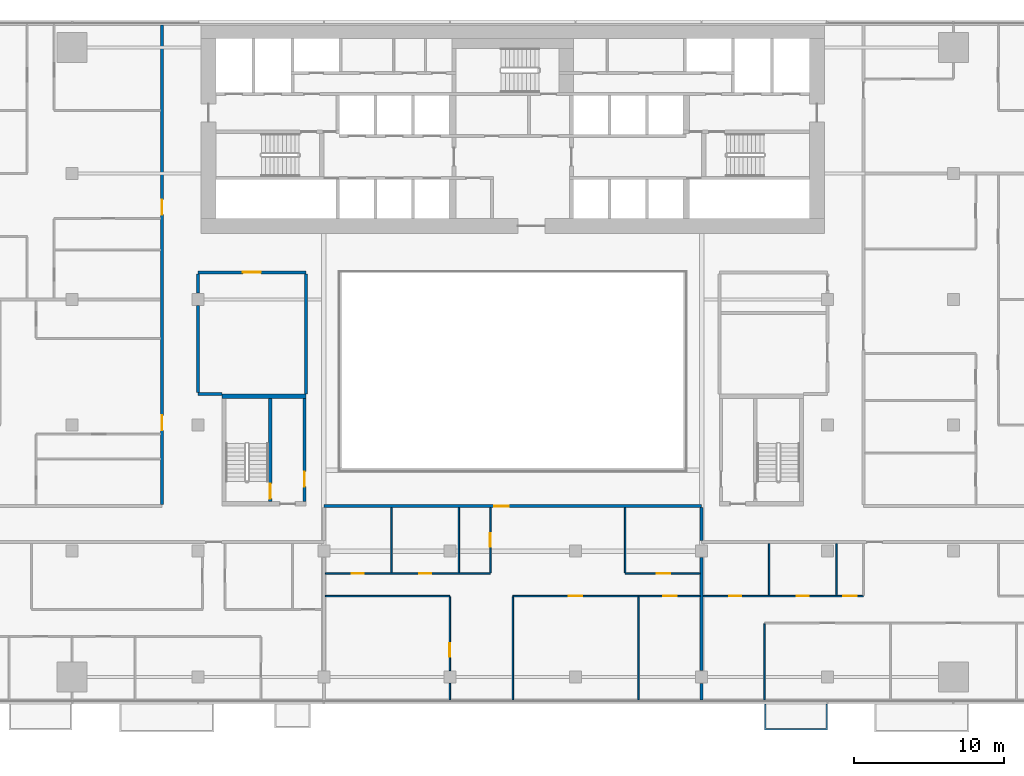
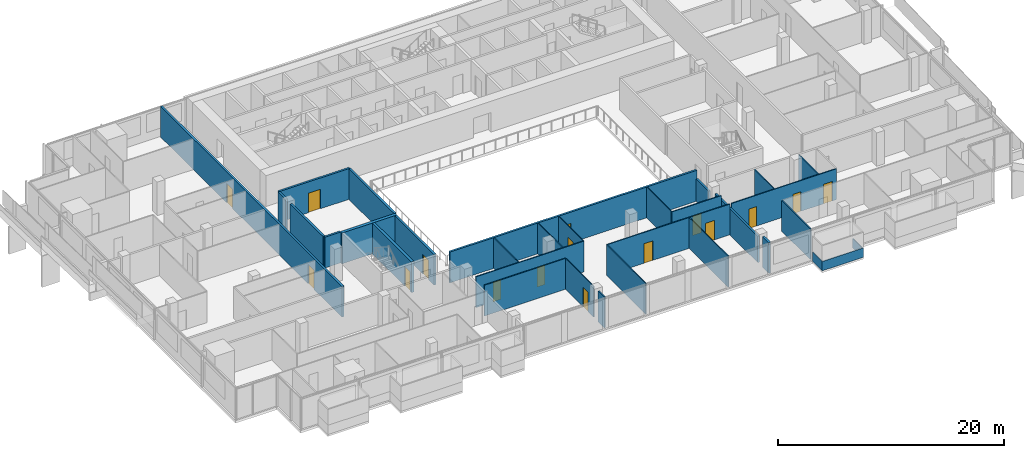
# One storey, part 19 of 27: 30 walls, 16 doors, 16 openings.
"""IFC4 building model written with IfcOpenShell, lengths in metres."""

from ifc_helpers import new_model, si_unit, direction, frame, frame_2d, origin, place, context, subcontext, project, spatial, polyline, rectangle, outline, extrude, material, layer, layer_set, type_object, element, fill, save


model = new_model("IFC4")

# Units and contexts
model_context = context("Model", 3, precision=1e-05, world=origin(), true_north=direction((0.0, 1.0)))
body_context = subcontext(model_context, "Body", "Model", "MODEL_VIEW")
ifc_project = project(units=[si_unit("LENGTHUNIT", "METRE"), si_unit("AREAUNIT", "SQUARE_METRE"), si_unit("VOLUMEUNIT", "CUBIC_METRE"), si_unit("PLANEANGLEUNIT", "RADIAN"), si_unit("MASSUNIT", "GRAM", prefix="KILO")], contexts=[model_context])

# Site, building, storey
site_placement = place(None, origin())
site = spatial("IfcSite", under=ifc_project, at=site_placement, CompositionType="ELEMENT")
building_placement = place(site_placement, origin())
building = spatial("IfcBuilding", under=site, at=building_placement, Name="Saffron Gate Tower", CompositionType="ELEMENT")
storey_placement = place(building_placement, frame((0.0, 0.0, 109.64990234375)))
storey = spatial("IfcBuildingStorey", under=building, at=storey_placement, Name="L25", CompositionType="ELEMENT", Elevation=109.64990234375)

# Wall, opening, door
ifc_material_1 = material(Name="Gypsum board partition on steel studs", Category="steel")
ifc_layer_1 = layer(ifc_material_1, 0.199951171875)
ifc_layer_set_1 = layer_set([ifc_layer_1], Name="CW10 Core partition 200")
wall_type_1 = type_object("IfcWallType", Name="CW10 Core partition 200", PredefinedType="PARTITIONING", material=ifc_layer_set_1)
wall_1_placement = place(storey_placement, frame((73.699951171875, 43.5, 0.0), z_axis=(0.0, 0.0, 1.0), x_axis=(0.0, 1.0, 0.0)))
wall_1 = element("IfcWall", 1, at=wall_1_placement, inside=storey, type_object=wall_type_1, Name="Wall CW10-L25-D-4", PredefinedType="PARTITIONING", context=body_context, shape_type="SweptSolid", body=[
    extrude(rectangle(XDim=6.89990234375, YDim=0.199951171875, at=frame_2d((3.449951171875, 0.0))), origin(), (0.0, 0.0, 1.0), 3.320068359375),
])
opening_1_placement = place(wall_1_placement, frame((1.0, 0.0, 0.0)))
opening_1 = element("IfcOpeningElement", 2, at=opening_1_placement, cuts=wall_1, Name="Opening CR-19", PredefinedType="OPENING", context=body_context, shape_type="SweptSolid", body=[
    extrude(rectangle(XDim=1.0, YDim=2.10009765625, at=frame_2d((0.5, 1.050048828125))), frame((0.0, 0.10986328125, 0.0), z_axis=(0.0, -1.0, 0.0), x_axis=(1.0, 0.0, 0.0)), (0.0, 0.0, 1.0), 0.219970703125),
])
ifc_material_2 = material(Name="Steel fire door set", Category="steel")
door_type_1 = type_object("IfcDoorType", Name="CD4 Lobby door 1000x2100 EI 120", OperationType="NOTDEFINED", PredefinedType="DOOR", material=ifc_material_2)
door_1_placement = place(opening_1_placement, origin())
door_1 = element("IfcDoor", 3, at=door_1_placement, inside=storey, type_object=door_type_1, Name="DOOR CR-19", OperationType="SINGLE_SWING_RIGHT", OverallHeight=2.10009765625, OverallWidth=1.0, PredefinedType="DOOR", context=body_context, shape_type="SweptSolid", body=[
    extrude(rectangle(XDim=1.0, YDim=2.10009765625, at=frame_2d((0.5, 1.050048828125))), frame((0.0, 0.02490234375, 0.0), z_axis=(0.0, -1.0, 0.0), x_axis=(1.0, 0.0, 0.0)), (0.0, 0.0, 1.0), 0.050048828125),
])
fill(opening_1, door_1)

ifc_material_3 = material(Name="Concrete C70", Category="concrete")
ifc_layer_2 = layer(ifc_material_3, 0.25)
ifc_layer_set_2 = layer_set([ifc_layer_2], Name="CW2 RC core wall 250 C70")
wall_type_2 = type_object("IfcWallType", Name="CW2 RC core wall 250 C70", PredefinedType="SOLIDWALL", material=ifc_layer_set_2)
wall_2_placement = place(storey_placement, frame((71.425048828125, 43.5, 0.0), z_axis=(0.0, 0.0, 1.0), x_axis=(0.0, 1.0, 0.0)))
wall_2 = element("IfcWall", 4, at=wall_2_placement, inside=storey, type_object=wall_type_2, Name="Wall CW2-L25-D-3", PredefinedType="SOLIDWALL", context=body_context, shape_type="SweptSolid", body=[
    extrude(rectangle(XDim=6.89990234375, YDim=0.25, at=frame_2d((3.449951171875, 0.0))), origin(), (0.0, 0.0, 1.0), 3.320068359375),
])
opening_2_placement = place(wall_2_placement, frame((0.199951171875, 0.0, 0.0)))
opening_2 = element("IfcOpeningElement", 5, at=opening_2_placement, cuts=wall_2, Name="Opening CR-20", PredefinedType="OPENING", context=body_context, shape_type="SweptSolid", body=[
    extrude(rectangle(XDim=1.0, YDim=2.10009765625, at=frame_2d((0.5, 1.050048828125))), frame((0.0, 0.135009765625, 0.0), z_axis=(0.0, -1.0, 0.0), x_axis=(1.0, 0.0, 0.0)), (0.0, 0.0, 1.0), 0.27001953125),
])
door_type_2 = type_object("IfcDoorType", Name="CD5 Stair door 1000x2100 EI 120", OperationType="NOTDEFINED", PredefinedType="DOOR", material=ifc_material_2)
door_2_placement = place(opening_2_placement, origin())
door_2 = element("IfcDoor", 6, at=door_2_placement, inside=storey, type_object=door_type_2, Name="DOOR CR-20", OperationType="SINGLE_SWING_LEFT", OverallHeight=2.10009765625, OverallWidth=1.0, PredefinedType="DOOR", context=body_context, shape_type="SweptSolid", body=[
    extrude(rectangle(XDim=1.0, YDim=2.10009765625, at=frame_2d((0.5, 1.050048828125))), frame((0.0, 0.02490234375, 0.0), z_axis=(0.0, -1.0, 0.0), x_axis=(1.0, 0.0, 0.0)), (0.0, 0.0, 1.0), 0.050048828125),
])
fill(opening_2, door_2)

# Walls
ifc_layer_3 = layer(ifc_material_3, 0.300048828125)
ifc_layer_set_3 = layer_set([ifc_layer_3], Name="CW5 RC core wall 300 C70")
wall_type_3 = type_object("IfcWallType", Name="CW5 RC core wall 300 C70", PredefinedType="SOLIDWALL", material=ifc_layer_set_3)
wall_3_placement = place(storey_placement, frame((68.199951171875, 50.550048828125, 0.0), z_axis=(0.0, 0.0, 1.0), x_axis=(1.0, 0.0, 0.0)))
element("IfcWall", 7, at=wall_3_placement, inside=storey, type_object=wall_type_3, Name="Wall CW5-L25-D-5", PredefinedType="SOLIDWALL", context=body_context, shape_type="SweptSolid", body=[
    extrude(rectangle(XDim=5.60009765625, YDim=0.300048828125, at=frame_2d((2.800048828125, 0.0))), origin(), (0.0, 0.0, 1.0), 3.320068359375),
])
ifc_material_4 = material(Name="Plasterboard on steel studs", Category="steel")
ifc_layer_4 = layer(ifc_material_4, 0.10009765625)
ifc_layer_set_4 = layer_set([ifc_layer_4], Name="PW1 Partition 100")
wall_type_4 = type_object("IfcWallType", Name="PW1 Partition 100", PredefinedType="PARTITIONING", material=ifc_layer_set_4)
wall_4_placement = place(storey_placement, frame((75.10009765625, 37.199951171875, 0.0), z_axis=(0.0, 0.0, 1.0), x_axis=(1.0, 0.0, 0.0)))
element("IfcWall", 8, at=wall_4_placement, inside=storey, type_object=wall_type_4, Name="Partition B2-5", PredefinedType="PARTITIONING", context=body_context, shape_type="SweptSolid", body=[
    extrude(rectangle(XDim=8.2998046875, YDim=0.10009765625, at=frame_2d((4.14990234375, 0.0))), origin(), (0.0, 0.0, 1.0), 3.320068359375),
])

# Wall, openings, doors
wall_5_placement = place(storey_placement, frame((75.10009765625, 38.699951171875, 0.0), z_axis=(0.0, 0.0, 1.0), x_axis=(1.0, 0.0, 0.0)))
wall_5 = element("IfcWall", 9, at=wall_5_placement, inside=storey, type_object=wall_type_4, Name="Partition B2-7", PredefinedType="PARTITIONING", context=body_context, shape_type="SweptSolid", body=[
    extrude(rectangle(XDim=11.0, YDim=0.10009765625, at=frame_2d((5.5, 0.0))), origin(), (0.0, 0.0, 1.0), 3.320068359375),
])
opening_3_placement = place(wall_5_placement, frame((1.75, 0.0, 0.0)))
opening_3 = element("IfcOpeningElement", 10, at=opening_3_placement, cuts=wall_5, Name="Opening B2-38", PredefinedType="OPENING", context=body_context, shape_type="SweptSolid", body=[
    extrude(rectangle(XDim=0.800048828125, YDim=2.10009765625, at=frame_2d((0.39990234375, 1.050048828125))), frame((0.0, 0.06005859375, 0.0), z_axis=(0.0, -1.0, 0.0), x_axis=(1.0, 0.0, 0.0)), (0.0, 0.0, 1.0), 0.1201171875),
])
opening_4_placement = place(wall_5_placement, frame((6.25, 0.0, 0.0)))
opening_4 = element("IfcOpeningElement", 11, at=opening_4_placement, cuts=wall_5, Name="Opening B2-39", PredefinedType="OPENING", context=body_context, shape_type="SweptSolid", body=[
    extrude(rectangle(XDim=0.800048828125, YDim=2.10009765625, at=frame_2d((0.39990234375, 1.050048828125))), frame((0.0, 0.06005859375, 0.0), z_axis=(0.0, -1.0, 0.0), x_axis=(1.0, 0.0, 0.0)), (0.0, 0.0, 1.0), 0.1201171875),
])
ifc_material_5 = material(Name="Timber door set", Category="wood")
door_type_3 = type_object("IfcDoorType", Name="RD2 Bathroom door 800x2100", OperationType="NOTDEFINED", PredefinedType="DOOR", material=ifc_material_5)
door_3_placement = place(opening_3_placement, origin())
door_3 = element("IfcDoor", 12, at=door_3_placement, inside=storey, type_object=door_type_3, Name="Door B2-38", OperationType="SINGLE_SWING_LEFT", OverallHeight=2.10009765625, OverallWidth=0.800048828125, PredefinedType="DOOR", context=body_context, shape_type="SweptSolid", body=[
    extrude(rectangle(XDim=0.800048828125, YDim=2.10009765625, at=frame_2d((0.39990234375, 1.050048828125))), frame((0.0, 0.02490234375, 0.0), z_axis=(0.0, -1.0, 0.0), x_axis=(1.0, 0.0, 0.0)), (0.0, 0.0, 1.0), 0.050048828125),
])
fill(opening_3, door_3)
door_4_placement = place(opening_4_placement, origin())
door_4 = element("IfcDoor", 13, at=door_4_placement, inside=storey, type_object=door_type_3, Name="Door B2-39", OperationType="SINGLE_SWING_LEFT", OverallHeight=2.10009765625, OverallWidth=0.800048828125, PredefinedType="DOOR", context=body_context, shape_type="SweptSolid", body=[
    extrude(rectangle(XDim=0.800048828125, YDim=2.10009765625, at=frame_2d((0.39990234375, 1.050048828125))), frame((0.0, 0.02490234375, 0.0), z_axis=(0.0, -1.0, 0.0), x_axis=(1.0, 0.0, 0.0)), (0.0, 0.0, 1.0), 0.050048828125),
])
fill(opening_4, door_4)

# Wall, opening, door
wall_6_placement = place(storey_placement, frame((95.10009765625, 38.699951171875, 0.0), z_axis=(0.0, 0.0, 1.0), x_axis=(1.0, 0.0, 0.0)))
wall_6 = element("IfcWall", 14, at=wall_6_placement, inside=storey, type_object=wall_type_4, Name="Partition B2-8", PredefinedType="PARTITIONING", context=body_context, shape_type="SweptSolid", body=[
    extrude(rectangle(XDim=5.0, YDim=0.10009765625, at=frame_2d((2.5, 0.0))), origin(), (0.0, 0.0, 1.0), 3.320068359375),
])
opening_5_placement = place(wall_6_placement, frame((2.10009765625, 0.0, 0.0)))
opening_5 = element("IfcOpeningElement", 15, at=opening_5_placement, cuts=wall_6, Name="Opening B2-16", PredefinedType="OPENING", context=body_context, shape_type="SweptSolid", body=[
    extrude(rectangle(XDim=0.89990234375, YDim=2.10009765625, at=frame_2d((0.449951171875, 1.050048828125))), frame((0.0, 0.06005859375, 0.0), z_axis=(0.0, -1.0, 0.0), x_axis=(1.0, 0.0, 0.0)), (0.0, 0.0, 1.0), 0.1201171875),
])
door_type_4 = type_object("IfcDoorType", Name="RD1 Room door 900x2100", OperationType="NOTDEFINED", PredefinedType="DOOR", material=ifc_material_5)
door_5_placement = place(opening_5_placement, origin())
door_5 = element("IfcDoor", 16, at=door_5_placement, inside=storey, type_object=door_type_4, Name="Door B2-16", OperationType="SINGLE_SWING_RIGHT", OverallHeight=2.10009765625, OverallWidth=0.89990234375, PredefinedType="DOOR", context=body_context, shape_type="SweptSolid", body=[
    extrude(rectangle(XDim=0.89990234375, YDim=2.10009765625, at=frame_2d((0.449951171875, 1.050048828125))), frame((0.0, 0.02490234375, 0.0), z_axis=(0.0, -1.0, 0.0), x_axis=(1.0, 0.0, 0.0)), (0.0, 0.0, 1.0), 0.050048828125),
])
fill(opening_5, door_5)

# Walls
wall_7_placement = place(storey_placement, frame((79.5, 43.10009765625, 0.0), z_axis=(0.0, 0.0, 1.0), x_axis=(0.0, -1.0, 0.0)))
element("IfcWall", 17, at=wall_7_placement, inside=storey, type_object=wall_type_4, Name="Partition B2-72", PredefinedType="PARTITIONING", context=body_context, shape_type="SweptSolid", body=[
    extrude(rectangle(XDim=4.35009765625, YDim=0.10009765625, at=frame_2d((2.175048828125, 0.0))), origin(), (0.0, 0.0, 1.0), 3.320068359375),
])
wall_8_placement = place(storey_placement, frame((83.39990234375, 31.3798828125, 0.0), z_axis=(0.0, 0.0, 1.0), x_axis=(0.0, -1.0, 0.0)))
element("IfcWall", 18, at=wall_8_placement, inside=storey, type_object=wall_type_4, Name="Partition B2-73", PredefinedType="PARTITIONING", context=body_context, shape_type="SweptSolid", body=[
    extrude(rectangle(XDim=1.099853515625, YDim=0.10009765625, at=frame_2d((0.5498046875, 0.0))), origin(), (0.0, 0.0, 1.0), 3.320068359375),
])

# Wall, opening, door
wall_9_placement = place(storey_placement, frame((83.39990234375, 32.219970703125, 0.0), z_axis=(0.0, 0.0, 1.0), x_axis=(0.0, 1.0, 0.0)))
wall_9 = element("IfcWall", 19, at=wall_9_placement, inside=storey, type_object=wall_type_4, Name="Partition B2-74", PredefinedType="PARTITIONING", context=body_context, shape_type="SweptSolid", body=[
    extrude(rectangle(XDim=4.929931640625, YDim=0.10009765625, at=frame_2d((2.46484375, 0.0))), origin(), (0.0, 0.0, 1.0), 3.320068359375),
])
opening_6_placement = place(wall_9_placement, frame((0.929931640625, 0.0, 0.0)))
opening_6 = element("IfcOpeningElement", 20, at=opening_6_placement, cuts=wall_9, Name="Opening B2-13", PredefinedType="OPENING", context=body_context, shape_type="SweptSolid", body=[
    extrude(rectangle(XDim=0.89990234375, YDim=2.10009765625, at=frame_2d((0.449951171875, 1.050048828125))), frame((0.0, 0.06005859375, 0.0), z_axis=(0.0, -1.0, 0.0), x_axis=(1.0, 0.0, 0.0)), (0.0, 0.0, 1.0), 0.1201171875),
])
door_6_placement = place(opening_6_placement, origin())
door_6 = element("IfcDoor", 21, at=door_6_placement, inside=storey, type_object=door_type_4, Name="Door B2-13", OperationType="SINGLE_SWING_LEFT", OverallHeight=2.10009765625, OverallWidth=0.89990234375, PredefinedType="DOOR", context=body_context, shape_type="SweptSolid", body=[
    extrude(rectangle(XDim=0.89990234375, YDim=2.10009765625, at=frame_2d((0.449951171875, 1.050048828125))), frame((0.0, 0.02490234375, 0.0), z_axis=(0.0, -1.0, 0.0), x_axis=(1.0, 0.0, 0.0)), (0.0, 0.0, 1.0), 0.050048828125),
])
fill(opening_6, door_6)

# Wall
wall_10_placement = place(storey_placement, frame((84.0, 43.10009765625, 0.0), z_axis=(0.0, 0.0, 1.0), x_axis=(0.0, -1.0, 0.0)))
element("IfcWall", 22, at=wall_10_placement, inside=storey, type_object=wall_type_4, Name="Partition B2-75", PredefinedType="PARTITIONING", context=body_context, shape_type="SweptSolid", body=[
    extrude(rectangle(XDim=4.35009765625, YDim=0.10009765625, at=frame_2d((2.175048828125, 0.0))), origin(), (0.0, 0.0, 1.0), 3.320068359375),
])

# Wall, opening, door
wall_11_placement = place(storey_placement, frame((86.10009765625, 38.75, 0.0), z_axis=(0.0, 0.0, 1.0), x_axis=(0.0, 1.0, 0.0)))
wall_11 = element("IfcWall", 23, at=wall_11_placement, inside=storey, type_object=wall_type_4, Name="Partition B2-76", PredefinedType="PARTITIONING", context=body_context, shape_type="SweptSolid", body=[
    extrude(rectangle(XDim=4.35009765625, YDim=0.10009765625, at=frame_2d((2.175048828125, 0.0))), origin(), (0.0, 0.0, 1.0), 3.320068359375),
])
opening_7_placement = place(wall_11_placement, frame((1.75, 0.0, 0.0)))
opening_7 = element("IfcOpeningElement", 24, at=opening_7_placement, cuts=wall_11, Name="Opening B2-17", PredefinedType="OPENING", context=body_context, shape_type="SweptSolid", body=[
    extrude(rectangle(XDim=0.89990234375, YDim=2.10009765625, at=frame_2d((0.449951171875, 1.050048828125))), frame((0.0, 0.06005859375, 0.0), z_axis=(0.0, -1.0, 0.0), x_axis=(1.0, 0.0, 0.0)), (0.0, 0.0, 1.0), 0.1201171875),
])
door_7_placement = place(opening_7_placement, origin())
door_7 = element("IfcDoor", 25, at=door_7_placement, inside=storey, type_object=door_type_4, Name="Door B2-17", OperationType="SINGLE_SWING_RIGHT", OverallHeight=2.10009765625, OverallWidth=0.89990234375, PredefinedType="DOOR", context=body_context, shape_type="SweptSolid", body=[
    extrude(rectangle(XDim=0.89990234375, YDim=2.10009765625, at=frame_2d((0.449951171875, 1.050048828125))), frame((0.0, 0.02490234375, 0.0), z_axis=(0.0, -1.0, 0.0), x_axis=(1.0, 0.0, 0.0)), (0.0, 0.0, 1.0), 0.050048828125),
])
fill(opening_7, door_7)

# Walls
wall_12_placement = place(storey_placement, frame((87.60009765625, 37.14990234375, 0.0), z_axis=(0.0, 0.0, 1.0), x_axis=(0.0, -1.0, 0.0)))
element("IfcWall", 26, at=wall_12_placement, inside=storey, type_object=wall_type_4, Name="Partition B2-77", PredefinedType="PARTITIONING", context=body_context, shape_type="SweptSolid", body=[
    extrude(rectangle(XDim=6.869873046875, YDim=0.10009765625, at=frame_2d((3.43505859375, 0.0))), origin(), (0.0, 0.0, 1.0), 3.320068359375),
])
wall_13_placement = place(storey_placement, frame((95.10009765625, 43.10009765625, 0.0), z_axis=(0.0, 0.0, 1.0), x_axis=(0.0, -1.0, 0.0)))
element("IfcWall", 27, at=wall_13_placement, inside=storey, type_object=wall_type_4, Name="Partition B2-78", PredefinedType="PARTITIONING", context=body_context, shape_type="SweptSolid", body=[
    extrude(rectangle(XDim=4.35009765625, YDim=0.10009765625, at=frame_2d((2.175048828125, 0.0))), origin(), (0.0, 0.0, 1.0), 3.320068359375),
])
wall_14_placement = place(storey_placement, frame((96.0, 37.14990234375, 0.0), z_axis=(0.0, 0.0, 1.0), x_axis=(0.0, -1.0, 0.0)))
element("IfcWall", 28, at=wall_14_placement, inside=storey, type_object=wall_type_4, Name="Partition B2-79", PredefinedType="PARTITIONING", context=body_context, shape_type="SweptSolid", body=[
    extrude(rectangle(XDim=6.869873046875, YDim=0.10009765625, at=frame_2d((3.43505859375, 0.0))), origin(), (0.0, 0.0, 1.0), 3.320068359375),
])
wall_15_placement = place(storey_placement, frame((104.39990234375, 35.35009765625, 0.0), z_axis=(0.0, 0.0, 1.0), x_axis=(0.0, -1.0, 0.0)))
element("IfcWall", 29, at=wall_15_placement, inside=storey, type_object=wall_type_4, Name="Partition B2-84", PredefinedType="PARTITIONING", context=body_context, shape_type="SweptSolid", body=[
    extrude(rectangle(XDim=5.070068359375, YDim=0.10009765625, at=frame_2d((2.53515625, 0.0))), origin(), (0.0, 0.0, 1.0), 3.320068359375),
])
for number, where, z_axis, x_axis, name in (
    (30, (104.699951171875, 40.699951171875, 0.0), (0.0, 0.0, 1.0), (0.0, -1.0, 0.0), "Partition B2-85"),
    (31, (109.199951171875, 40.699951171875, 0.0), (0.0, 0.0, 1.0), (0.0, -1.0, 0.0), "Partition B2-88"),
):
    element("IfcWall", number, at=place(storey_placement, frame(where, z_axis=z_axis, x_axis=x_axis)), inside=storey, type_object=wall_type_4, Name=name, PredefinedType="PARTITIONING", context=body_context, shape_type="SweptSolid", body=[
        extrude(rectangle(XDim=3.449951171875, YDim=0.10009765625, at=frame_2d((1.72509765625, 0.0))), origin(), (0.0, 0.0, 1.0), 3.320068359375),
    ])

# Wall, openings, doors
wall_16_placement = place(storey_placement, frame((100.10009765625, 37.199951171875, 0.0), z_axis=(0.0, 0.0, 1.0), x_axis=(-1.0, 0.0, 0.0)))
wall_16 = element("IfcWall", 32, at=wall_16_placement, inside=storey, type_object=wall_type_4, Name="Partition B2-100", PredefinedType="PARTITIONING", context=body_context, shape_type="SweptSolid", body=[
    extrude(rectangle(XDim=12.5, YDim=0.10009765625, at=frame_2d((6.25, 0.0))), origin(), (0.0, 0.0, 1.0), 3.320068359375),
])
opening_8_placement = place(wall_16_placement, frame((1.550048828125, 0.0, 0.0)))
opening_8 = element("IfcOpeningElement", 33, at=opening_8_placement, cuts=wall_16, Name="Opening B2-15", PredefinedType="OPENING", context=body_context, shape_type="SweptSolid", body=[
    extrude(rectangle(XDim=0.89990234375, YDim=2.10009765625, at=frame_2d((0.449951171875, 1.050048828125))), frame((0.0, 0.06005859375, 0.0), z_axis=(0.0, -1.0, 0.0), x_axis=(1.0, 0.0, 0.0)), (0.0, 0.0, 1.0), 0.1201171875),
])
opening_9_placement = place(wall_16_placement, frame((7.85009765625, 0.0, 0.0)))
opening_9 = element("IfcOpeningElement", 34, at=opening_9_placement, cuts=wall_16, Name="Opening B2-14", PredefinedType="OPENING", context=body_context, shape_type="SweptSolid", body=[
    extrude(rectangle(XDim=0.89990234375, YDim=2.10009765625, at=frame_2d((0.449951171875, 1.050048828125))), frame((0.0, 0.06005859375, 0.0), z_axis=(0.0, -1.0, 0.0), x_axis=(1.0, 0.0, 0.0)), (0.0, 0.0, 1.0), 0.1201171875),
])
door_8_placement = place(opening_8_placement, origin())
door_8 = element("IfcDoor", 35, at=door_8_placement, inside=storey, type_object=door_type_4, Name="Door B2-15", OperationType="SINGLE_SWING_LEFT", OverallHeight=2.10009765625, OverallWidth=0.89990234375, PredefinedType="DOOR", context=body_context, shape_type="SweptSolid", body=[
    extrude(rectangle(XDim=0.89990234375, YDim=2.10009765625, at=frame_2d((0.449951171875, 1.050048828125))), frame((0.0, 0.02490234375, 0.0), z_axis=(0.0, -1.0, 0.0), x_axis=(1.0, 0.0, 0.0)), (0.0, 0.0, 1.0), 0.050048828125),
])
fill(opening_8, door_8)
door_9_placement = place(opening_9_placement, origin())
door_9 = element("IfcDoor", 36, at=door_9_placement, inside=storey, type_object=door_type_4, Name="Door B2-14", OperationType="SINGLE_SWING_RIGHT", OverallHeight=2.10009765625, OverallWidth=0.89990234375, PredefinedType="DOOR", context=body_context, shape_type="SweptSolid", body=[
    extrude(rectangle(XDim=0.89990234375, YDim=2.10009765625, at=frame_2d((0.449951171875, 1.050048828125))), frame((0.0, 0.02490234375, 0.0), z_axis=(0.0, -1.0, 0.0), x_axis=(1.0, 0.0, 0.0)), (0.0, 0.0, 1.0), 0.050048828125),
])
fill(opening_9, door_9)

wall_17_placement = place(storey_placement, frame((100.300048828125, 37.199951171875, 0.0), z_axis=(0.0, 0.0, 1.0), x_axis=(1.0, 0.0, 0.0)))
wall_17 = element("IfcWall", 37, at=wall_17_placement, inside=storey, type_object=wall_type_4, Name="Partition B2-101", PredefinedType="PARTITIONING", context=body_context, shape_type="SweptSolid", body=[
    extrude(rectangle(XDim=10.699951171875, YDim=0.10009765625, at=frame_2d((5.35009765625, 0.0))), origin(), (0.0, 0.0, 1.0), 3.320068359375),
])
opening_10_placement = place(wall_17_placement, frame((1.75, 0.0, 0.0)))
opening_10 = element("IfcOpeningElement", 38, at=opening_10_placement, cuts=wall_17, Name="Opening B2-40", PredefinedType="OPENING", context=body_context, shape_type="SweptSolid", body=[
    extrude(rectangle(XDim=0.800048828125, YDim=2.10009765625, at=frame_2d((0.39990234375, 1.050048828125))), frame((0.0, 0.06005859375, 0.0), z_axis=(0.0, -1.0, 0.0), x_axis=(1.0, 0.0, 0.0)), (0.0, 0.0, 1.0), 0.1201171875),
])
opening_11_placement = place(wall_17_placement, frame((6.25, 0.0, 0.0)))
opening_11 = element("IfcOpeningElement", 39, at=opening_11_placement, cuts=wall_17, Name="Opening B2-41", PredefinedType="OPENING", context=body_context, shape_type="SweptSolid", body=[
    extrude(rectangle(XDim=0.800048828125, YDim=2.10009765625, at=frame_2d((0.39990234375, 1.050048828125))), frame((0.0, 0.06005859375, 0.0), z_axis=(0.0, -1.0, 0.0), x_axis=(1.0, 0.0, 0.0)), (0.0, 0.0, 1.0), 0.1201171875),
])
opening_12_placement = place(wall_17_placement, frame((9.35009765625, 0.0, 0.0)))
opening_12 = element("IfcOpeningElement", 40, at=opening_12_placement, cuts=wall_17, Name="Opening B2-22", PredefinedType="OPENING", context=body_context, shape_type="SweptSolid", body=[
    extrude(rectangle(XDim=0.89990234375, YDim=2.10009765625, at=frame_2d((0.449951171875, 1.050048828125))), frame((0.0, 0.06005859375, 0.0), z_axis=(0.0, -1.0, 0.0), x_axis=(1.0, 0.0, 0.0)), (0.0, 0.0, 1.0), 0.1201171875),
])
door_10_placement = place(opening_12_placement, origin())
door_10 = element("IfcDoor", 41, at=door_10_placement, inside=storey, type_object=door_type_4, Name="Door B2-22", OperationType="SINGLE_SWING_LEFT", OverallHeight=2.10009765625, OverallWidth=0.89990234375, PredefinedType="DOOR", context=body_context, shape_type="SweptSolid", body=[
    extrude(rectangle(XDim=0.89990234375, YDim=2.10009765625, at=frame_2d((0.449951171875, 1.050048828125))), frame((0.0, 0.02490234375, 0.0), z_axis=(0.0, -1.0, 0.0), x_axis=(1.0, 0.0, 0.0)), (0.0, 0.0, 1.0), 0.050048828125),
])
fill(opening_12, door_10)
door_11_placement = place(opening_10_placement, origin())
door_11 = element("IfcDoor", 42, at=door_11_placement, inside=storey, type_object=door_type_3, Name="Door B2-40", OperationType="SINGLE_SWING_LEFT", OverallHeight=2.10009765625, OverallWidth=0.800048828125, PredefinedType="DOOR", context=body_context, shape_type="SweptSolid", body=[
    extrude(rectangle(XDim=0.800048828125, YDim=2.10009765625, at=frame_2d((0.39990234375, 1.050048828125))), frame((0.0, 0.02490234375, 0.0), z_axis=(0.0, -1.0, 0.0), x_axis=(1.0, 0.0, 0.0)), (0.0, 0.0, 1.0), 0.050048828125),
])
fill(opening_10, door_11)
door_12_placement = place(opening_11_placement, origin())
door_12 = element("IfcDoor", 43, at=door_12_placement, inside=storey, type_object=door_type_3, Name="Door B2-41", OperationType="SINGLE_SWING_RIGHT", OverallHeight=2.10009765625, OverallWidth=0.800048828125, PredefinedType="DOOR", context=body_context, shape_type="SweptSolid", body=[
    extrude(rectangle(XDim=0.800048828125, YDim=2.10009765625, at=frame_2d((0.39990234375, 1.050048828125))), frame((0.0, 0.02490234375, 0.0), z_axis=(0.0, -1.0, 0.0), x_axis=(1.0, 0.0, 0.0)), (0.0, 0.0, 1.0), 0.050048828125),
])
fill(opening_11, door_12)

# Walls
ifc_material_6 = material(Name="Clay brick masonry, rendered", Category="masonry")
ifc_layer_5 = layer(ifc_material_6, 0.199951171875)
ifc_layer_set_5 = layer_set([ifc_layer_5], Name="PW2 Demising wall 200")
wall_type_5 = type_object("IfcWallType", Name="PW2 Demising wall 200", PredefinedType="PARTITIONING", material=ifc_layer_set_5)
wall_18_placement = place(storey_placement, frame((100.199951171875, 31.3798828125, 0.0), z_axis=(0.0, 0.0, 1.0), x_axis=(0.0, -1.0, 0.0)))
element("IfcWall", 44, at=wall_18_placement, inside=storey, type_object=wall_type_5, Name="Wall B2-81", PredefinedType="PARTITIONING", context=body_context, shape_type="SweptSolid", body=[
    extrude(rectangle(XDim=1.099853515625, YDim=0.199951171875, at=frame_2d((0.5498046875, 0.0))), origin(), (0.0, 0.0, 1.0), 3.320068359375),
])
wall_19_placement = place(storey_placement, frame((100.199951171875, 39.780029296875, 0.0), z_axis=(0.0, 0.0, 1.0), x_axis=(0.0, -1.0, 0.0)))
element("IfcWall", 45, at=wall_19_placement, inside=storey, type_object=wall_type_5, Name="Wall B2-82", PredefinedType="PARTITIONING", context=body_context, shape_type="SweptSolid", body=[
    extrude(rectangle(XDim=7.56005859375, YDim=0.199951171875, at=frame_2d((3.780029296875, 0.0))), origin(), (0.0, 0.0, 1.0), 2.830078125),
])

# Wall, opening, door
ifc_layer_6 = layer(ifc_material_6, 0.199951171875)
ifc_layer_set_6 = layer_set([ifc_layer_6], Name="PW3 Corridor wall 200")
wall_type_6 = type_object("IfcWallType", Name="PW3 Corridor wall 200", PredefinedType="PARTITIONING", material=ifc_layer_set_6)
wall_20_placement = place(storey_placement, frame((100.199951171875, 43.199951171875, 0.0), z_axis=(0.0, 0.0, 1.0), x_axis=(-1.0, 0.0, 0.0)))
wall_20 = element("IfcWall", 46, at=wall_20_placement, inside=storey, type_object=wall_type_6, Name="Wall B2-14", PredefinedType="PARTITIONING", context=body_context, shape_type="SweptSolid", body=[
    extrude(rectangle(XDim=25.199951171875, YDim=0.199951171875, at=frame_2d((12.60009765625, 0.0))), origin(), (0.0, 0.0, 1.0), 3.320068359375),
])
opening_13_placement = place(wall_20_placement, frame((12.85009765625, 0.0, 0.0)))
opening_13 = element("IfcOpeningElement", 47, at=opening_13_placement, cuts=wall_20, Name="Opening B2-2", PredefinedType="OPENING", context=body_context, shape_type="SweptSolid", body=[
    extrude(rectangle(XDim=1.0, YDim=2.10009765625, at=frame_2d((0.5, 1.050048828125))), frame((0.0, 0.10986328125, 0.0), z_axis=(0.0, -1.0, 0.0), x_axis=(1.0, 0.0, 0.0)), (0.0, 0.0, 1.0), 0.219970703125),
])
ifc_material_7 = material(Name="Timber fire door set", Category="wood")
door_type_5 = type_object("IfcDoorType", Name="FD1 Flat entry door 1000x2100", OperationType="NOTDEFINED", PredefinedType="DOOR", material=ifc_material_7)
door_13_placement = place(opening_13_placement, origin())
door_13 = element("IfcDoor", 48, at=door_13_placement, inside=storey, type_object=door_type_5, Name="Door B2-2", OperationType="SINGLE_SWING_RIGHT", OverallHeight=2.10009765625, OverallWidth=1.0, PredefinedType="DOOR", context=body_context, shape_type="SweptSolid", body=[
    extrude(rectangle(XDim=1.0, YDim=2.10009765625, at=frame_2d((0.5, 1.050048828125))), frame((0.0, 0.02490234375, 0.0), z_axis=(0.0, -1.0, 0.0), x_axis=(1.0, 0.0, 0.0)), (0.0, 0.0, 1.0), 0.050048828125),
])
fill(opening_13, door_13)

# Wall
wall_21_placement = place(storey_placement, frame((66.60009765625, 50.699951171875, 0.0), z_axis=(0.0, 0.0, 1.0), x_axis=(1.0, 0.0, 0.0)))
element("IfcWall", 49, at=wall_21_placement, inside=storey, type_object=wall_type_6, Name="Wall B2-24", PredefinedType="PARTITIONING", context=body_context, shape_type="SweptSolid", body=[
    extrude(rectangle(XDim=1.599853515625, YDim=0.199951171875, at=frame_2d((0.7998046875, 0.0))), origin(), (0.0, 0.0, 1.0), 3.320068359375),
])

# Wall, opening, door
wall_22_placement = place(storey_placement, frame((73.800048828125, 58.800048828125, 0.0), z_axis=(0.0, 0.0, 1.0), x_axis=(-1.0, 0.0, 0.0)))
wall_22 = element("IfcWall", 50, at=wall_22_placement, inside=storey, type_object=wall_type_6, Name="Wall B2-34", PredefinedType="PARTITIONING", context=body_context, shape_type="SweptSolid", body=[
    extrude(rectangle(XDim=7.199951171875, YDim=0.199951171875, at=frame_2d((3.60009765625, 0.0))), origin(), (0.0, 0.0, 1.0), 3.320068359375),
])
opening_14_placement = place(wall_22_placement, frame((3.0, 0.0, 0.0)))
opening_14 = element("IfcOpeningElement", 51, at=opening_14_placement, cuts=wall_22, Name="Opening B2-49", PredefinedType="OPENING", context=body_context, shape_type="SweptSolid", body=[
    extrude(rectangle(XDim=1.199951171875, YDim=2.10009765625, at=frame_2d((0.60009765625, 1.050048828125))), frame((0.0, 0.10986328125, 0.0), z_axis=(0.0, -1.0, 0.0), x_axis=(1.0, 0.0, 0.0)), (0.0, 0.0, 1.0), 0.219970703125),
])
door_type_6 = type_object("IfcDoorType", Name="HD1 Hall door 1200x2100", OperationType="NOTDEFINED", PredefinedType="DOOR", material=ifc_material_5)
door_14_placement = place(opening_14_placement, origin())
door_14 = element("IfcDoor", 52, at=door_14_placement, inside=storey, type_object=door_type_6, Name="Door B2-49", OperationType="SINGLE_SWING_LEFT", OverallHeight=2.10009765625, OverallWidth=1.199951171875, PredefinedType="DOOR", context=body_context, shape_type="SweptSolid", body=[
    extrude(rectangle(XDim=1.199951171875, YDim=2.10009765625, at=frame_2d((0.60009765625, 1.050048828125))), frame((0.0, 0.02490234375, 0.0), z_axis=(0.0, -1.0, 0.0), x_axis=(1.0, 0.0, 0.0)), (0.0, 0.0, 1.0), 0.050048828125),
])
fill(opening_14, door_14)

# Wall, openings, doors
wall_23_placement = place(storey_placement, frame((64.199951171875, 43.300048828125, 0.0), z_axis=(0.0, 0.0, 1.0), x_axis=(0.0, 1.0, 0.0)))
wall_23 = element("IfcWall", 53, at=wall_23_placement, inside=storey, type_object=wall_type_6, Name="Wall B2-61", PredefinedType="PARTITIONING", context=body_context, shape_type="SweptSolid", body=[
    extrude(rectangle(XDim=32.02001953125, YDim=0.199951171875, at=frame_2d((16.010009765625, 0.0))), origin(), (0.0, 0.0, 1.0), 3.320068359375),
])
opening_15_placement = place(wall_23_placement, frame((4.949951171875, 0.0, 0.0)))
opening_15 = element("IfcOpeningElement", 54, at=opening_15_placement, cuts=wall_23, Name="Opening B2-4", PredefinedType="OPENING", context=body_context, shape_type="SweptSolid", body=[
    extrude(rectangle(XDim=1.0, YDim=2.10009765625, at=frame_2d((0.5, 1.050048828125))), frame((0.0, 0.10986328125, 0.0), z_axis=(0.0, -1.0, 0.0), x_axis=(1.0, 0.0, 0.0)), (0.0, 0.0, 1.0), 0.219970703125),
])
opening_16_placement = place(wall_23_placement, frame((19.35009765625, 0.0, 0.0)))
opening_16 = element("IfcOpeningElement", 55, at=opening_16_placement, cuts=wall_23, Name="Opening B2-5", PredefinedType="OPENING", context=body_context, shape_type="SweptSolid", body=[
    extrude(rectangle(XDim=1.0, YDim=2.10009765625, at=frame_2d((0.5, 1.050048828125))), frame((0.0, 0.10986328125, 0.0), z_axis=(0.0, -1.0, 0.0), x_axis=(1.0, 0.0, 0.0)), (0.0, 0.0, 1.0), 0.219970703125),
])
door_15_placement = place(opening_15_placement, origin())
door_15 = element("IfcDoor", 56, at=door_15_placement, inside=storey, type_object=door_type_5, Name="Door B2-4", OperationType="SINGLE_SWING_RIGHT", OverallHeight=2.10009765625, OverallWidth=1.0, PredefinedType="DOOR", context=body_context, shape_type="SweptSolid", body=[
    extrude(rectangle(XDim=1.0, YDim=2.10009765625, at=frame_2d((0.5, 1.050048828125))), frame((0.0, 0.02490234375, 0.0), z_axis=(0.0, -1.0, 0.0), x_axis=(1.0, 0.0, 0.0)), (0.0, 0.0, 1.0), 0.050048828125),
])
fill(opening_15, door_15)
door_16_placement = place(opening_16_placement, origin())
door_16 = element("IfcDoor", 57, at=door_16_placement, inside=storey, type_object=door_type_5, Name="Door B2-5", OperationType="SINGLE_SWING_RIGHT", OverallHeight=2.10009765625, OverallWidth=1.0, PredefinedType="DOOR", context=body_context, shape_type="SweptSolid", body=[
    extrude(rectangle(XDim=1.0, YDim=2.10009765625, at=frame_2d((0.5, 1.050048828125))), frame((0.0, 0.02490234375, 0.0), z_axis=(0.0, -1.0, 0.0), x_axis=(1.0, 0.0, 0.0)), (0.0, 0.0, 1.0), 0.050048828125),
])
fill(opening_16, door_16)

# Walls
wall_24_placement = place(storey_placement, frame((66.60009765625, 56.580078125, 0.0), z_axis=(0.0, 0.0, 1.0), x_axis=(0.0, -1.0, 0.0)))
element("IfcWall", 58, at=wall_24_placement, inside=storey, type_object=wall_type_6, Name="Wall B2-62", PredefinedType="PARTITIONING", context=body_context, shape_type="SweptSolid", body=[
    extrude(rectangle(XDim=5.780029296875, YDim=0.199951171875, at=frame_2d((2.89013671875, 0.0))), origin(), (0.0, 0.0, 1.0), 3.320068359375),
])
wall_25_placement = place(storey_placement, frame((66.60009765625, 58.699951171875, 0.0), z_axis=(0.0, 0.0, 1.0), x_axis=(0.0, -1.0, 0.0)))
element("IfcWall", 59, at=wall_25_placement, inside=storey, type_object=wall_type_6, Name="Wall B2-63", PredefinedType="PARTITIONING", context=body_context, shape_type="SweptSolid", body=[
    extrude(rectangle(XDim=1.280029296875, YDim=0.199951171875, at=frame_2d((0.64013671875, 0.0))), origin(), (0.0, 0.0, 1.0), 3.320068359375),
])
wall_26_placement = place(storey_placement, frame((73.800048828125, 58.699951171875, 0.0), z_axis=(0.0, 0.0, 1.0), x_axis=(0.0, -1.0, 0.0)))
element("IfcWall", 60, at=wall_26_placement, inside=storey, type_object=wall_type_6, Name="Wall B2-68", PredefinedType="PARTITIONING", context=body_context, shape_type="SweptSolid", body=[
    extrude(rectangle(XDim=8.0, YDim=0.199951171875, at=frame_2d((4.0, 0.0))), origin(), (0.0, 0.0, 1.0), 3.320068359375),
])
wall_27_placement = place(storey_placement, frame((100.199951171875, 43.10009765625, 0.0), z_axis=(0.0, 0.0, 1.0), x_axis=(0.0, -1.0, 0.0)))
element("IfcWall", 61, at=wall_27_placement, inside=storey, type_object=wall_type_6, Name="Wall B2-80", PredefinedType="PARTITIONING", context=body_context, shape_type="SweptSolid", body=[
    extrude(rectangle(XDim=2.2001953125, YDim=0.199951171875, at=frame_2d((1.10009765625, 0.0))), origin(), (0.0, 0.0, 1.0), 2.43017578125),
])
ifc_material_8 = material(Name="Rendered insulated panel, white")
ifc_layer_7 = layer(ifc_material_8, 0.10009765625)
ifc_layer_set_7 = layer_set([ifc_layer_7], Name="WB3 box parapet white")
wall_type_7 = type_object("IfcWallType", Name="WB3 box parapet white", PredefinedType="SOLIDWALL", material=ifc_layer_set_7)
wall_28_placement = place(storey_placement, origin())
element("IfcWall", 62, at=wall_28_placement, inside=storey, type_object=wall_type_7, Name="WINDOW BOX parapet", PredefinedType="SOLIDWALL", context=body_context, shape_type="SweptSolid", body=[
    extrude(outline(polyline([(104.39990234375, 30.0), (104.5, 30.0), (104.5, 28.366943359375), (108.5, 28.366943359375), (108.5, 30.0), (108.60009765625, 30.0), (108.60009765625, 28.26708984375), (104.39990234375, 28.26708984375), (104.39990234375, 30.0)])), origin(), (0.0, 0.0, 1.0), 1.0),
])

save(model, "model.ifc")
